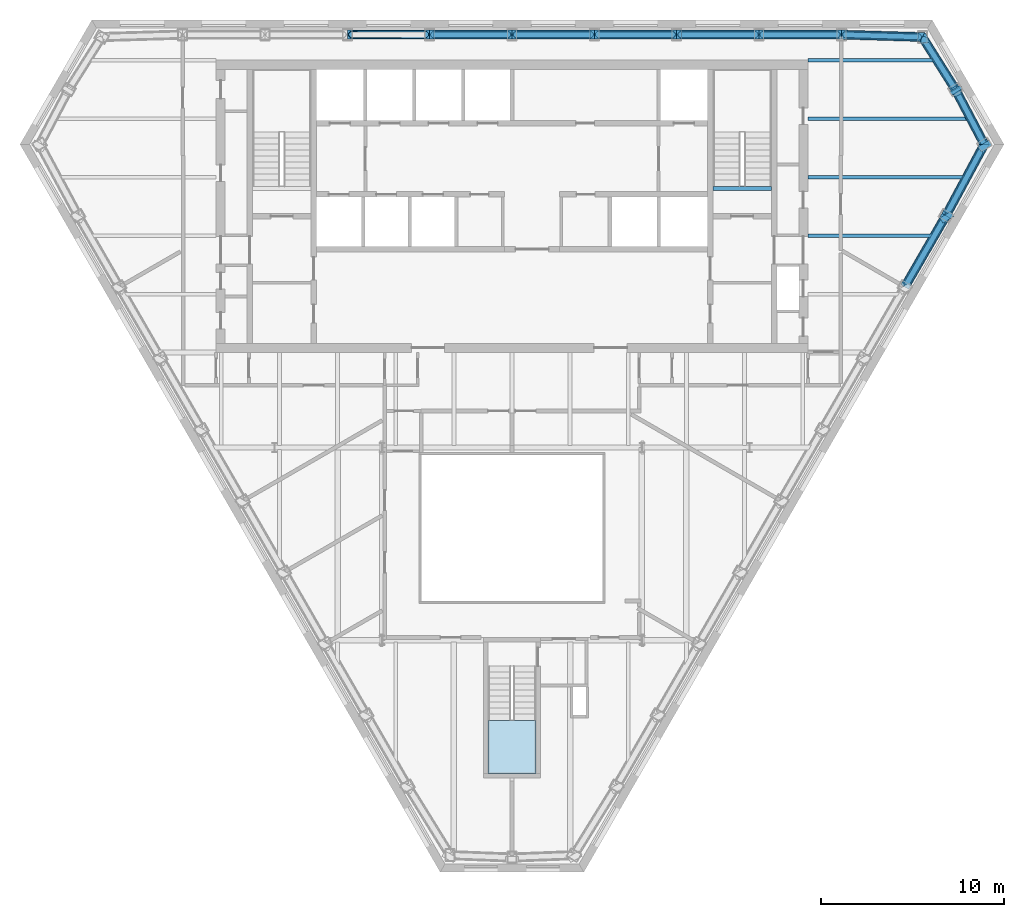
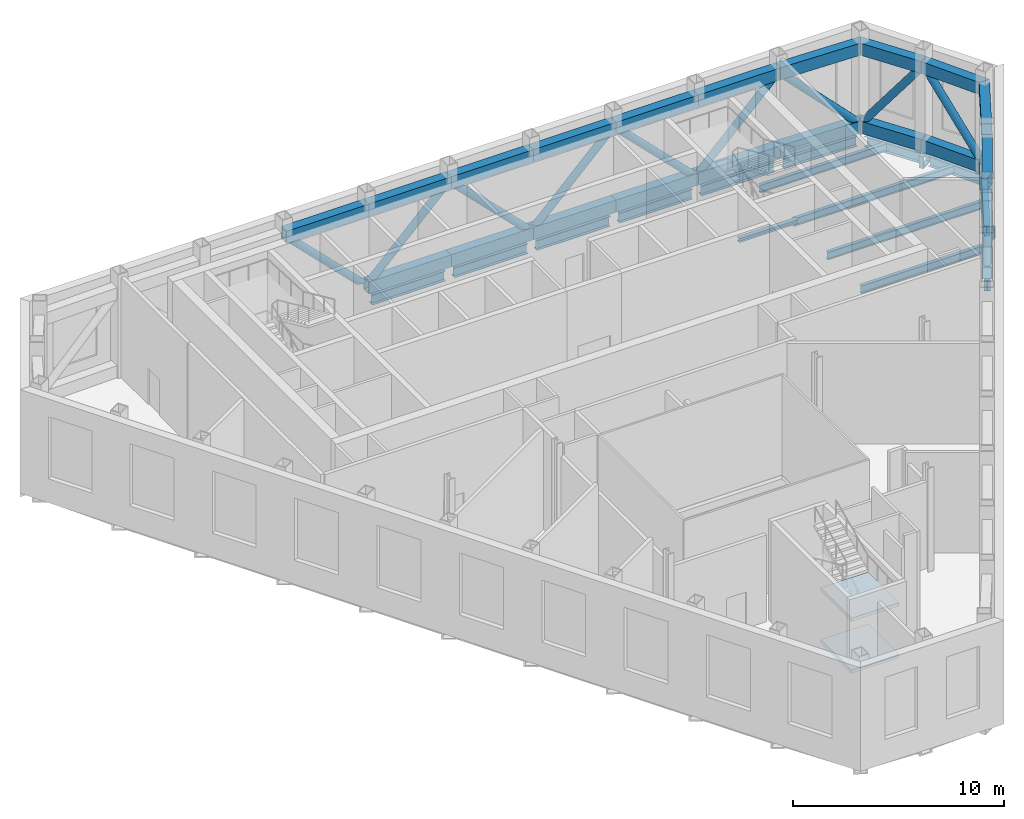
# One storey, part 5 of 13: 32 members, 18 beams, 2 slabs, 1 element without a shape of its own.
"""IFC4 building model written with IfcOpenShell, lengths in metres."""

from ifc_helpers import new_model, si_unit, direction, frame, origin, origin_2d, place, context, subcontext, project, spatial, polyline, hollow_rectangle, hollow_circle, i_section, outline, extrude, clip, halfspace, material, layer, layer_set, material_profile, profile_set, type_object, element, aggregate, save


model = new_model("IFC4")

# Units and contexts
model_context = context("Model", 3, precision=1e-05, world=origin(), true_north=direction((0.0, 1.0)))
body_context = subcontext(model_context, "Body", "Model", "MODEL_VIEW")
ifc_project = project(units=[si_unit("LENGTHUNIT", "METRE"), si_unit("AREAUNIT", "SQUARE_METRE"), si_unit("VOLUMEUNIT", "CUBIC_METRE"), si_unit("PLANEANGLEUNIT", "RADIAN"), si_unit("MASSUNIT", "GRAM", prefix="KILO")], contexts=[model_context])

# Site, building, storey
site_placement = place(None, origin())
site = spatial("IfcSite", under=ifc_project, at=site_placement, CompositionType="ELEMENT")
building_placement = place(site_placement, origin())
building = spatial("IfcBuilding", under=site, at=building_placement, Name="Njiva Tower", CompositionType="ELEMENT")
storey_placement = place(building_placement, frame((0.0, 0.0, 186.6)))
storey = spatial("IfcBuildingStorey", under=building, at=storey_placement, Name="L41", CompositionType="ELEMENT", Elevation=186.6)

# Beams
ifc_material_1 = material(Name="Steel S355 J2", Category="steel")
ifc_material_profile_1 = material_profile(ifc_material_1, hollow_rectangle(XDim=0.7, YDim=0.7, WallThickness=0.08, at=origin_2d()), Name="BOX 700x700x80")
ifc_profile_set_1 = profile_set([ifc_material_profile_1], Name="Steel S355 J2")
beam_type_1 = type_object("IfcBeamType", Name="B19 Column jog beam BOX 700x700x80", PredefinedType="BEAM", material=ifc_profile_set_1)
beam_1_placement = place(storey_placement, frame((23.888, 9.264, -0.55), z_axis=(-0.517683266159, 0.855572344071, 0.0), x_axis=(-0.855572344071, -0.517683266159, 0.0)))
element("IfcBeam", 1, at=beam_1_placement, inside=storey, type_object=beam_type_1, Name="Column jog beam T3-B045", PredefinedType="BEAM", context=body_context, shape_type="SweptSolid", body=[
    extrude(hollow_rectangle(XDim=0.7, YDim=0.7, WallThickness=0.08, at=origin_2d()), origin(), (0.0, 0.0, 1.0), 0.3226),
])
beam_2_placement = place(storey_placement, frame((25.989, 13.169, -0.55), z_axis=(-0.519059238985, 0.85473826779, 0.0), x_axis=(-0.85473826779, -0.519059238985, 0.0)))
element("IfcBeam", 2, at=beam_2_placement, inside=storey, type_object=beam_type_1, Name="Column jog beam T3-B047", PredefinedType="BEAM", context=body_context, shape_type="SweptSolid", body=[
    extrude(hollow_rectangle(XDim=0.7, YDim=0.7, WallThickness=0.08, at=origin_2d()), origin(), (0.0, 0.0, 1.0), 0.3217),
])
beam_3_placement = place(storey_placement, frame((24.359, 16.259, -0.55), z_axis=(-0.532813269686, 0.84623284009, 0.0), x_axis=(-0.84623284009, -0.532813269686, 0.0)))
element("IfcBeam", 3, at=beam_3_placement, inside=storey, type_object=beam_type_1, Name="Column jog beam T3-B046", PredefinedType="BEAM", context=body_context, shape_type="SweptSolid", body=[
    extrude(hollow_rectangle(XDim=0.7, YDim=0.7, WallThickness=0.08, at=origin_2d()), origin(), (0.0, 0.0, 1.0), 0.2233),
])
ifc_material_profile_2 = material_profile(ifc_material_1, i_section(OverallWidth=0.3, OverallDepth=0.59, WebThickness=0.013, FlangeThickness=0.025, at=origin_2d()), Name="HEA 600")
ifc_profile_set_2 = profile_set([ifc_material_profile_2], Name="Steel S355 J2")
beam_type_2 = type_object("IfcBeamType", Name="B27 Short-span spandrel beam HEA 600", PredefinedType="SPANDREL", material=ifc_profile_set_2)
beam_4_placement = place(storey_placement, frame((22.212, 19.274, -0.495), z_axis=(-0.999548163201, 0.030057768414, 0.0), x_axis=(-0.030057768414, -0.999548163201, 0.0)))
element("IfcBeam", 4, at=beam_4_placement, inside=storey, type_object=beam_type_2, Name="Short-span spandrel beam T3-B104", PredefinedType="SPANDREL", context=body_context, shape_type="SweptSolid", body=[
    extrude(i_section(OverallWidth=0.3, OverallDepth=0.59, WebThickness=0.013, FlangeThickness=0.025, at=origin_2d()), origin(), (0.0, 0.0, 1.0), 3.9258),
])
beam_5_placement = place(storey_placement, frame((17.784, 19.4, -0.495), z_axis=(-1.0, 0.0, 0.0), x_axis=(0.0, -1.0, 0.0)))
element("IfcBeam", 5, at=beam_5_placement, inside=storey, type_object=beam_type_2, Name="Short-span spandrel beam T3-B101", PredefinedType="SPANDREL", context=body_context, shape_type="SweptSolid", body=[
    extrude(i_section(OverallWidth=0.3, OverallDepth=0.59, WebThickness=0.013, FlangeThickness=0.025, at=origin_2d()), origin(), (0.0, 0.0, 1.0), 4.008),
])
beam_6_placement = place(storey_placement, frame((13.276, 19.4, -0.495), z_axis=(-1.0, 0.0, 0.0), x_axis=(0.0, -1.0, 0.0)))
element("IfcBeam", 6, at=beam_6_placement, inside=storey, type_object=beam_type_2, Name="Short-span spandrel beam T3-B098", PredefinedType="SPANDREL", context=body_context, shape_type="SweptSolid", body=[
    extrude(i_section(OverallWidth=0.3, OverallDepth=0.59, WebThickness=0.013, FlangeThickness=0.025, at=origin_2d()), origin(), (0.0, 0.0, 1.0), 4.009),
])
beam_7_placement = place(storey_placement, frame((8.767, 19.4, -0.495), z_axis=(-1.0, 0.0, 0.0), x_axis=(0.0, -1.0, 0.0)))
element("IfcBeam", 7, at=beam_7_placement, inside=storey, type_object=beam_type_2, Name="Short-span spandrel beam T3-B095", PredefinedType="SPANDREL", context=body_context, shape_type="SweptSolid", body=[
    extrude(i_section(OverallWidth=0.3, OverallDepth=0.59, WebThickness=0.013, FlangeThickness=0.025, at=origin_2d()), origin(), (0.0, 0.0, 1.0), 4.008),
])
for number, where, z_axis, x_axis, name in (
    (8, (4.259, 19.4, -0.495), (-1.0, 0.0, 0.0), (0.0, -1.0, 0.0), "Short-span spandrel beam T3-B092"),
    (9, (-0.25, 19.4, -0.495), (-1.0, 0.0, 0.0), (0.0, -1.0, 0.0), "Short-span spandrel beam T3-B090"),
):
    element("IfcBeam", number, at=place(storey_placement, frame(where, z_axis=z_axis, x_axis=x_axis)), inside=storey, type_object=beam_type_2, Name=name, PredefinedType="SPANDREL", context=body_context, shape_type="SweptSolid", body=[
        extrude(i_section(OverallWidth=0.3, OverallDepth=0.59, WebThickness=0.013, FlangeThickness=0.025, at=origin_2d()), origin(), (0.0, 0.0, 1.0), 4.009),
    ])
beam_8_placement = place(storey_placement, frame((21.574, 5.716, -0.495), z_axis=(0.500003221507, 0.866023543838, 0.0), x_axis=(-0.866023543838, 0.500003221507, 0.0)))
element("IfcBeam", 10, at=beam_8_placement, inside=storey, type_object=beam_type_2, Name="Short-span spandrel beam T3-B106", PredefinedType="SPANDREL", context=body_context, shape_type="SweptSolid", body=[
    extrude(i_section(OverallWidth=0.3, OverallDepth=0.59, WebThickness=0.013, FlangeThickness=0.025, at=origin_2d()), origin(), (0.0, 0.0, 1.0), 4.008),
])
beam_9_placement = place(storey_placement, frame((23.826, 9.626, -0.495), z_axis=(0.473781149082, 0.880642619213, 0.0), x_axis=(-0.880642619213, 0.473781149082, 0.0)))
element("IfcBeam", 11, at=beam_9_placement, inside=storey, type_object=beam_type_2, Name="Short-span spandrel beam T3-B108", PredefinedType="SPANDREL", context=body_context, shape_type="Clipping", body=[
    clip(extrude(i_section(OverallWidth=0.3, OverallDepth=0.59, WebThickness=0.013, FlangeThickness=0.025, at=origin_2d()), origin(), (0.0, 0.0, 1.0), 4.0431), halfspace(frame((-0.0262, 0.0, 3.9143), z_axis=(-0.525770260178, 0.0, 0.850626612276), x_axis=(0.0, 1.0, 0.0)), False)),
])
beam_10_placement = place(storey_placement, frame((25.828, 13.439, -0.495), z_axis=(-0.465483985196, 0.885056303026, 0.0), x_axis=(-0.885056303026, -0.465483985196, 0.0)))
element("IfcBeam", 12, at=beam_10_placement, inside=storey, type_object=beam_type_2, Name="Short-span spandrel beam T3-B109", PredefinedType="SPANDREL", context=body_context, shape_type="SweptSolid", body=[
    extrude(i_section(OverallWidth=0.3, OverallDepth=0.59, WebThickness=0.013, FlangeThickness=0.025, at=origin_2d()), origin(), (0.0, 0.0, 1.0), 2.984),
])
beam_11_placement = place(storey_placement, frame((24.191, 16.526, -0.495), z_axis=(-0.533823546627, 0.845595897026, 0.0), x_axis=(-0.845595897026, -0.533823546627, 0.0)))
element("IfcBeam", 13, at=beam_11_placement, inside=storey, type_object=beam_type_2, Name="Short-span spandrel beam T3-B107", PredefinedType="SPANDREL", context=body_context, shape_type="Clipping", body=[
    clip(extrude(i_section(OverallWidth=0.3, OverallDepth=0.59, WebThickness=0.013, FlangeThickness=0.025, at=origin_2d()), origin(), (0.0, 0.0, 1.0), 3.0017), halfspace(frame((-0.0271, 0.0, 2.8696), z_axis=(-0.533823546627, 0.0, 0.845595897026), x_axis=(0.0, 1.0, 0.0)), False)),
])
ifc_material_profile_3 = material_profile(ifc_material_1, i_section(OverallWidth=0.19, OverallDepth=0.45, WebThickness=0.0094, FlangeThickness=0.0146, at=origin_2d()), Name="IPE 450")
ifc_profile_set_3 = profile_set([ifc_material_profile_3], Name="Steel S355 J2")
beam_type_3 = type_object("IfcBeamType", Name="B37 Floor beam to the core IPE 450", PredefinedType="BEAM", material=ifc_profile_set_3)
beam_12_placement = place(storey_placement, frame((16.2, 8.4, -0.425), z_axis=(1.0, 0.0, 0.0), x_axis=(0.0, 1.0, 0.0)))
element("IfcBeam", 14, at=beam_12_placement, inside=storey, type_object=beam_type_3, Name="Floor beam to the core T3-B007", PredefinedType="BEAM", context=body_context, shape_type="Clipping", body=[
    clip(extrude(i_section(OverallWidth=0.19, OverallDepth=0.45, WebThickness=0.0094, FlangeThickness=0.0146, at=origin_2d()), origin(), (0.0, 0.0, 1.0), 6.883), halfspace(frame((-0.025, 0.0, 6.7936), z_axis=(-0.499998009787, 0.0, 0.866026552831), x_axis=(0.0, 1.0, 0.0)), False)),
])
beam_13_placement = place(storey_placement, frame((16.2, 11.6, -0.425), z_axis=(1.0, 0.0, 0.0), x_axis=(0.0, 1.0, 0.0)))
element("IfcBeam", 15, at=beam_13_placement, inside=storey, type_object=beam_type_3, Name="Floor beam to the core T3-B008", PredefinedType="BEAM", context=body_context, shape_type="Clipping", body=[
    clip(extrude(i_section(OverallWidth=0.19, OverallDepth=0.45, WebThickness=0.0094, FlangeThickness=0.0146, at=origin_2d()), origin(), (0.0, 0.0, 1.0), 8.645), halfspace(frame((-0.0237, 0.0, 8.5616), z_axis=(-0.473769423091, 0.0, 0.880648927634), x_axis=(0.0, 1.0, 0.0)), False)),
])
beam_14_placement = place(storey_placement, frame((16.2, 14.8, -0.425), z_axis=(1.0, 0.0, 0.0), x_axis=(0.0, 1.0, 0.0)))
element("IfcBeam", 16, at=beam_14_placement, inside=storey, type_object=beam_type_3, Name="Floor beam to the core T3-B009", PredefinedType="BEAM", context=body_context, shape_type="Clipping", body=[
    clip(extrude(i_section(OverallWidth=0.19, OverallDepth=0.45, WebThickness=0.0094, FlangeThickness=0.0146, at=origin_2d()), origin(), (0.0, 0.0, 1.0), 8.869), halfspace(frame((0.0233, 0.0, 8.787), z_axis=(0.465649575467, 0.0, 0.884969193174), x_axis=(0.0, 1.0, 0.0)), False)),
])
beam_15_placement = place(storey_placement, frame((16.2, 18.0, -0.425), z_axis=(1.0, 0.0, 0.0), x_axis=(0.0, 1.0, 0.0)))
element("IfcBeam", 17, at=beam_15_placement, inside=storey, type_object=beam_type_3, Name="Floor beam to the core T3-B010", PredefinedType="BEAM", context=body_context, shape_type="Clipping", body=[
    clip(extrude(i_section(OverallWidth=0.19, OverallDepth=0.45, WebThickness=0.0094, FlangeThickness=0.0146, at=origin_2d()), origin(), (0.0, 0.0, 1.0), 7.022), halfspace(frame((0.0267, 0.0, 6.9255), z_axis=(0.533579818876, 0.0, 0.84574971291), x_axis=(0.0, 1.0, 0.0)), False)),
])
ifc_material_profile_4 = material_profile(ifc_material_1, i_section(OverallWidth=0.24, OverallDepth=0.23, WebThickness=0.0075, FlangeThickness=0.012, at=origin_2d()), Name="HEA240")
ifc_profile_set_4 = profile_set([ifc_material_profile_4], Name="Steel S355 J2")
beam_type_4 = type_object("IfcBeamType", Name="FL8 Landing beam HEA 240", PredefinedType="BEAM", material=ifc_profile_set_4)
beam_16_placement = place(storey_placement, frame((10.994, 10.98, 2.685), z_axis=(1.0, 0.0, 0.0), x_axis=(0.0, 1.0, 0.0)))
element("IfcBeam", 18, at=beam_16_placement, inside=storey, type_object=beam_type_4, Name="Landing beam", PredefinedType="BEAM", context=body_context, shape_type="SweptSolid", body=[
    extrude(i_section(OverallWidth=0.24, OverallDepth=0.23, WebThickness=0.0075, FlangeThickness=0.012, at=origin_2d()), origin(), (0.0, 0.0, 1.0), 3.212),
])

# Members
ifc_material_profile_5 = material_profile(ifc_material_1, hollow_rectangle(XDim=0.5, YDim=0.7, WallThickness=0.04, at=origin_2d()), Name="BOX 700x500x40")
ifc_profile_set_5 = profile_set([ifc_material_profile_5], Name="Steel S355 J2")
member_type_1 = type_object("IfcMemberType", Name="TC2 Belt truss chord BOX 700x500x40", PredefinedType="CHORD", material=ifc_profile_set_5)
member_1_placement = place(storey_placement, frame((22.6239, 19.2621, 0.35), z_axis=(-0.999549830104, 0.03000228558, 0.0), x_axis=(-0.03000228558, -0.999549830104, 0.0)))
element("IfcMember", 19, at=member_1_placement, inside=storey, type_object=member_type_1, Name="Belt truss chord T3-TR001", PredefinedType="CHORD", context=body_context, shape_type="Clipping", body=[
    clip(clip(extrude(hollow_rectangle(XDim=0.5, YDim=0.7, WallThickness=0.04, at=origin_2d()), origin(), (0.0, 0.0, 1.0), 4.63), halfspace(frame((0.0, -186.95, 0.163), z_axis=(0.46969440449, 0.0, -0.882829069747), x_axis=(0.0, -1.0, 0.0)), False)), halfspace(frame((0.0, -186.95, 4.596), z_axis=(0.015005700272, 0.0, 0.999887408141), x_axis=(0.0, 1.0, 0.0)), False)),
])
member_2_placement = place(storey_placement, frame((22.6239, 19.2621, 4.86), z_axis=(-0.999549830104, 0.03000228558, 0.0), x_axis=(-0.03000228558, -0.999549830104, 0.0)))
element("IfcMember", 20, at=member_2_placement, inside=storey, type_object=member_type_1, Name="Belt truss chord T3-TR002", PredefinedType="CHORD", context=body_context, shape_type="Clipping", body=[
    clip(clip(extrude(hollow_rectangle(XDim=0.5, YDim=0.7, WallThickness=0.04, at=origin_2d()), origin(), (0.0, 0.0, 1.0), 4.63), halfspace(frame((0.0, -191.46, 0.163), z_axis=(0.46969440449, 0.0, -0.882829069747), x_axis=(0.0, -1.0, 0.0)), False)), halfspace(frame((0.0, -191.46, 4.596), z_axis=(0.015005700272, 0.0, 0.999887408141), x_axis=(0.0, 1.0, 0.0)), False)),
])
member_3_placement = place(storey_placement, frame((18.064, 19.4, 0.35), z_axis=(-1.0, 0.0, 0.0), x_axis=(0.0, -1.0, 0.0)))
element("IfcMember", 21, at=member_3_placement, inside=storey, type_object=member_type_1, Name="Belt truss chord T3-TR004", PredefinedType="CHORD", context=body_context, shape_type="Clipping", body=[
    clip(extrude(hollow_rectangle(XDim=0.5, YDim=0.7, WallThickness=0.04, at=origin_2d()), origin(), (0.0, 0.0, 1.0), 4.541), halfspace(frame((0.0, -186.95, 0.034), z_axis=(0.014999962409, 0.0, -0.999887494235), x_axis=(0.0, -1.0, 0.0)), False)),
])
member_4_placement = place(storey_placement, frame((18.064, 19.4, 4.86), z_axis=(-1.0, 0.0, 0.0), x_axis=(0.0, -1.0, 0.0)))
element("IfcMember", 22, at=member_4_placement, inside=storey, type_object=member_type_1, Name="Belt truss chord T3-TR005", PredefinedType="CHORD", context=body_context, shape_type="Clipping", body=[
    clip(extrude(hollow_rectangle(XDim=0.5, YDim=0.7, WallThickness=0.04, at=origin_2d()), origin(), (0.0, 0.0, 1.0), 4.541), halfspace(frame((0.0, -191.46, 0.034), z_axis=(0.014999962409, 0.0, -0.999887494235), x_axis=(0.0, -1.0, 0.0)), False)),
])
for number, where, z_axis, x_axis, name in (
    (23, (13.523, 19.4, 0.35), (-1.0, 0.0, 0.0), (0.0, -1.0, 0.0), "Belt truss chord T3-TR007"),
    (24, (13.523, 19.4, 4.86), (-1.0, 0.0, 0.0), (0.0, -1.0, 0.0), "Belt truss chord T3-TR008"),
):
    element("IfcMember", number, at=place(storey_placement, frame(where, z_axis=z_axis, x_axis=x_axis)), inside=storey, type_object=member_type_1, Name=name, PredefinedType="CHORD", context=body_context, shape_type="SweptSolid", body=[
        extrude(hollow_rectangle(XDim=0.5, YDim=0.7, WallThickness=0.04, at=origin_2d()), origin(), (0.0, 0.0, 1.0), 4.508),
    ])
for number, where, z_axis, x_axis, name in (
    (25, (9.015, 19.4, 0.35), (-1.0, 0.0, 0.0), (0.0, -1.0, 0.0), "Belt truss chord T3-TR010"),
    (26, (9.015, 19.4, 4.86), (-1.0, 0.0, 0.0), (0.0, -1.0, 0.0), "Belt truss chord T3-TR011"),
):
    element("IfcMember", number, at=place(storey_placement, frame(where, z_axis=z_axis, x_axis=x_axis)), inside=storey, type_object=member_type_1, Name=name, PredefinedType="CHORD", context=body_context, shape_type="SweptSolid", body=[
        extrude(hollow_rectangle(XDim=0.5, YDim=0.7, WallThickness=0.04, at=origin_2d()), origin(), (0.0, 0.0, 1.0), 4.507),
    ])
for number, where, z_axis, x_axis, name in (
    (27, (4.508, 19.4, 0.35), (-1.0, 0.0, 0.0), (0.0, -1.0, 0.0), "Belt truss chord T3-TR013"),
    (28, (4.508, 19.4, 4.86), (-1.0, 0.0, 0.0), (0.0, -1.0, 0.0), "Belt truss chord T3-TR014"),
    (29, (0.0, 19.4, 0.35), (-1.0, 0.0, 0.0), (0.0, -1.0, 0.0), "Belt truss chord T3-TR016"),
    (30, (0.0, 19.4, 4.86), (-1.0, 0.0, 0.0), (0.0, -1.0, 0.0), "Belt truss chord T3-TR017"),
):
    element("IfcMember", number, at=place(storey_placement, frame(where, z_axis=z_axis, x_axis=x_axis)), inside=storey, type_object=member_type_1, Name=name, PredefinedType="CHORD", context=body_context, shape_type="SweptSolid", body=[
        extrude(hollow_rectangle(XDim=0.5, YDim=0.7, WallThickness=0.04, at=origin_2d()), origin(), (0.0, 0.0, 1.0), 4.508),
    ])
member_5_placement = place(storey_placement, frame((-4.508, 19.4, 4.86), z_axis=(-1.0, 0.0, 0.0), x_axis=(0.0, -1.0, 0.0)))
element("IfcMember", 31, at=member_5_placement, inside=storey, type_object=member_type_1, Name="Belt truss chord T3-TR020", PredefinedType="CHORD", context=body_context, shape_type="SweptSolid", body=[
    extrude(hollow_rectangle(XDim=0.5, YDim=0.7, WallThickness=0.04, at=origin_2d()), origin(), (0.0, 0.0, 1.0), 4.507),
])
member_6_placement = place(storey_placement, frame((21.499, 5.586, 0.35), z_axis=(0.499933745558, 0.866063652425, 0.0), x_axis=(-0.866063652425, 0.499933745558, 0.0)))
element("IfcMember", 32, at=member_6_placement, inside=storey, type_object=member_type_1, Name="Belt truss chord T3-TR097", PredefinedType="CHORD", context=body_context, shape_type="Clipping", body=[
    clip(extrude(hollow_rectangle(XDim=0.5, YDim=0.7, WallThickness=0.04, at=origin_2d()), origin(), (0.0, 0.0, 1.0), 4.5406), halfspace(frame((0.0, -186.95, 4.5066), z_axis=(0.014905098252, 0.0, 0.999888912853), x_axis=(0.0, 1.0, 0.0)), False)),
])
member_7_placement = place(storey_placement, frame((21.499, 5.586, 4.86), z_axis=(0.499933745558, 0.866063652425, 0.0), x_axis=(-0.866063652425, 0.499933745558, 0.0)))
element("IfcMember", 33, at=member_7_placement, inside=storey, type_object=member_type_1, Name="Belt truss chord T3-TR098", PredefinedType="CHORD", context=body_context, shape_type="Clipping", body=[
    clip(extrude(hollow_rectangle(XDim=0.5, YDim=0.7, WallThickness=0.04, at=origin_2d()), origin(), (0.0, 0.0, 1.0), 4.5406), halfspace(frame((0.0, -191.46, 4.5066), z_axis=(0.014905098252, 0.0, 0.999888912853), x_axis=(0.0, 1.0, 0.0)), False)),
])
member_8_placement = place(storey_placement, frame((23.7359, 9.4591, 0.35), z_axis=(0.473898049697, 0.880579717285, 0.0), x_axis=(-0.880579717285, 0.473898049697, 0.0)))
element("IfcMember", 34, at=member_8_placement, inside=storey, type_object=member_type_1, Name="Belt truss chord T3-TR100", PredefinedType="CHORD", context=body_context, shape_type="Clipping", body=[
    clip(clip(extrude(hollow_rectangle(XDim=0.5, YDim=0.7, WallThickness=0.04, at=origin_2d()), origin(), (0.0, 0.0, 1.0), 4.6304), halfspace(frame((0.0, -186.95, 0.034), z_axis=(0.01490385339, 0.0, -0.999888931409), x_axis=(0.0, -1.0, 0.0)), False)), halfspace(frame((0.0, -186.95, 4.4674), z_axis=(0.469824716583, 0.0, 0.882759727042), x_axis=(0.0, 1.0, 0.0)), False)),
])
member_9_placement = place(storey_placement, frame((23.7359, 9.4591, 4.86), z_axis=(0.473898049697, 0.880579717285, 0.0), x_axis=(-0.880579717285, 0.473898049697, 0.0)))
element("IfcMember", 35, at=member_9_placement, inside=storey, type_object=member_type_1, Name="Belt truss chord T3-TR101", PredefinedType="CHORD", context=body_context, shape_type="Clipping", body=[
    clip(clip(extrude(hollow_rectangle(XDim=0.5, YDim=0.7, WallThickness=0.04, at=origin_2d()), origin(), (0.0, 0.0, 1.0), 4.6304), halfspace(frame((0.0, -191.46, 0.034), z_axis=(0.01490385339, 0.0, -0.999888931409), x_axis=(0.0, -1.0, 0.0)), False)), halfspace(frame((0.0, -191.46, 4.4674), z_axis=(0.469824716583, 0.0, 0.882759727042), x_axis=(0.0, 1.0, 0.0)), False)),
])
member_10_placement = place(storey_placement, frame((25.9289, 13.2488, 0.35), z_axis=(-0.465734291661, 0.884924612366, 0.0), x_axis=(-0.884924612366, -0.465734291661, 0.0)))
element("IfcMember", 36, at=member_10_placement, inside=storey, type_object=member_type_1, Name="Belt truss chord T3-TR103", PredefinedType="CHORD", context=body_context, shape_type="Clipping", body=[
    clip(clip(extrude(hollow_rectangle(XDim=0.5, YDim=0.7, WallThickness=0.04, at=origin_2d()), origin(), (0.0, 0.0, 1.0), 3.5976), halfspace(frame((0.0, -186.95, 0.163), z_axis=(0.469817670193, 0.0, -0.882763477255), x_axis=(0.0, -1.0, 0.0)), False)), halfspace(frame((0.0, -186.95, 3.5576), z_axis=(0.039216491459, 0.0, 0.999230737516), x_axis=(0.0, 1.0, 0.0)), False)),
])
member_11_placement = place(storey_placement, frame((25.9289, 13.2488, 4.86), z_axis=(-0.465734291661, 0.884924612366, 0.0), x_axis=(-0.884924612366, -0.465734291661, 0.0)))
element("IfcMember", 37, at=member_11_placement, inside=storey, type_object=member_type_1, Name="Belt truss chord T3-TR104", PredefinedType="CHORD", context=body_context, shape_type="Clipping", body=[
    clip(clip(extrude(hollow_rectangle(XDim=0.5, YDim=0.7, WallThickness=0.04, at=origin_2d()), origin(), (0.0, 0.0, 1.0), 3.5976), halfspace(frame((0.0, -191.46, 0.163), z_axis=(0.469817670193, 0.0, -0.882763477255), x_axis=(0.0, -1.0, 0.0)), False)), halfspace(frame((0.0, -191.46, 3.5576), z_axis=(0.039216491459, 0.0, 0.999230737516), x_axis=(0.0, 1.0, 0.0)), False)),
])
member_12_placement = place(storey_placement, frame((24.2933, 16.3632, 0.35), z_axis=(-0.533649261636, 0.845705897789, 0.0), x_axis=(-0.845705897789, -0.533649261636, 0.0)))
element("IfcMember", 38, at=member_12_placement, inside=storey, type_object=member_type_1, Name="Belt truss chord T3-TR106", PredefinedType="CHORD", context=body_context, shape_type="Clipping", body=[
    clip(clip(extrude(hollow_rectangle(XDim=0.5, YDim=0.7, WallThickness=0.04, at=origin_2d()), origin(), (0.0, 0.0, 1.0), 3.5966), halfspace(frame((0.0, -186.95, 0.04), z_axis=(0.03920895543, 0.0, -0.999231033252), x_axis=(0.0, -1.0, 0.0)), False)), halfspace(frame((0.0, -186.95, 3.4336), z_axis=(0.469686094909, 0.0, 0.882833490671), x_axis=(0.0, 1.0, 0.0)), False)),
])
member_13_placement = place(storey_placement, frame((24.2933, 16.3632, 4.86), z_axis=(-0.533649261636, 0.845705897789, 0.0), x_axis=(-0.845705897789, -0.533649261636, 0.0)))
element("IfcMember", 39, at=member_13_placement, inside=storey, type_object=member_type_1, Name="Belt truss chord T3-TR107", PredefinedType="CHORD", context=body_context, shape_type="Clipping", body=[
    clip(clip(extrude(hollow_rectangle(XDim=0.5, YDim=0.7, WallThickness=0.04, at=origin_2d()), origin(), (0.0, 0.0, 1.0), 3.5966), halfspace(frame((0.0, -191.46, 0.04), z_axis=(0.03920895543, 0.0, -0.999231033252), x_axis=(0.0, -1.0, 0.0)), False)), halfspace(frame((0.0, -191.46, 3.4336), z_axis=(0.469686094909, 0.0, 0.882833490671), x_axis=(0.0, 1.0, 0.0)), False)),
])
ifc_material_2 = material(Name="Steel S355 J2H", Category="steel")
ifc_material_profile_6 = material_profile(ifc_material_2, hollow_circle(Radius=0.2032, WallThickness=0.016, at=origin_2d()), Name="CHS 406.4x16")
ifc_profile_set_6 = profile_set([ifc_material_profile_6], Name="Steel S355 J2H")
member_type_2 = type_object("IfcMemberType", Name="TD2 Belt truss diagonal CHS 406.4x16", PredefinedType="BRACE", material=ifc_profile_set_6)
member_14_placement = place(storey_placement, frame((22.6229, 19.2621, 0.1853), z_axis=(-0.700676628488, 0.021031367996, 0.713168944816), x_axis=(-0.03000228558, -0.999549830104, 0.0)))
element("IfcMember", 40, at=member_14_placement, inside=storey, type_object=member_type_2, Name="Belt truss diagonal T3-TR003", PredefinedType="BRACE", context=body_context, shape_type="Clipping", body=[
    clip(clip(extrude(hollow_circle(Radius=0.2032, WallThickness=0.016, at=origin_2d()), origin(), (0.0, 0.0, 1.0), 6.7859), halfspace(frame((19.9322, -15.3607, 15.8062), z_axis=(0.0, -0.700992194072, -0.713168944816), x_axis=(0.0, -0.713168944816, 0.700992194072)), False)), halfspace(frame((19.9322, -12.6759, 18.5376), z_axis=(0.0, 0.700992194072, 0.713168944816), x_axis=(0.0, 0.713168944816, -0.700992194072)), False)),
])
member_15_placement = place(storey_placement, frame((18.1961, 19.4, 5.0262), z_axis=(-0.706871484179, 0.0, -0.707341999922), x_axis=(0.0, -1.0, 0.0)))
element("IfcMember", 41, at=member_15_placement, inside=storey, type_object=member_type_2, Name="Belt truss diagonal T3-TR006", PredefinedType="BRACE", context=body_context, shape_type="Clipping", body=[
    clip(clip(extrude(hollow_circle(Radius=0.2032, WallThickness=0.016, at=origin_2d()), origin(), (0.0, 0.0, 1.0), 6.846), halfspace(frame((19.4, 12.513, 13.2204), z_axis=(0.0, 0.706871484179, -0.707341999922), x_axis=(0.0, -0.707341999922, -0.706871484179)), False)), halfspace(frame((19.4, 9.8057, 15.9295), z_axis=(0.0, -0.706871484179, 0.707341999922), x_axis=(0.0, 0.707341999922, 0.706871484179)), False)),
])
member_16_placement = place(storey_placement, frame((13.6891, 19.4, 0.1838), z_axis=(-0.706949942603, 0.0, 0.707263584991), x_axis=(0.0, -1.0, 0.0)))
element("IfcMember", 42, at=member_16_placement, inside=storey, type_object=member_type_2, Name="Belt truss diagonal T3-TR009", PredefinedType="BRACE", context=body_context, shape_type="Clipping", body=[
    clip(clip(extrude(hollow_circle(Radius=0.2032, WallThickness=0.016, at=origin_2d()), origin(), (0.0, 0.0, 1.0), 6.8467), halfspace(frame((19.4, -9.324, 10.0356), z_axis=(0.0, -0.706949942603, -0.707263584991), x_axis=(0.0, -0.707263584991, 0.706949942603)), False)), halfspace(frame((19.4, -6.6163, 12.7444), z_axis=(0.0, 0.706949942603, 0.707263584991), x_axis=(0.0, 0.707263584991, -0.706949942603)), False)),
])
member_17_placement = place(storey_placement, frame((9.1811, 19.4, 5.0262), z_axis=(-0.706871484179, 0.0, -0.707341999922), x_axis=(0.0, -1.0, 0.0)))
element("IfcMember", 43, at=member_17_placement, inside=storey, type_object=member_type_2, Name="Belt truss diagonal T3-TR012", PredefinedType="BRACE", context=body_context, shape_type="Clipping", body=[
    clip(clip(extrude(hollow_circle(Radius=0.2032, WallThickness=0.016, at=origin_2d()), origin(), (0.0, 0.0, 1.0), 6.846), halfspace(frame((19.4, 6.1364, 6.8479), z_axis=(0.0, 0.706871484179, -0.707341999922), x_axis=(0.0, -0.707341999922, -0.706871484179)), False)), halfspace(frame((19.4, 3.429, 9.5571), z_axis=(0.0, -0.706871484179, 0.707341999922), x_axis=(0.0, 0.707341999922, 0.706871484179)), False)),
])
member_18_placement = place(storey_placement, frame((4.6741, 19.4, 0.1838), z_axis=(-0.706949942603, 0.0, 0.707263584991), x_axis=(0.0, -1.0, 0.0)))
element("IfcMember", 44, at=member_18_placement, inside=storey, type_object=member_type_2, Name="Belt truss diagonal T3-TR015", PredefinedType="BRACE", context=body_context, shape_type="Clipping", body=[
    clip(clip(extrude(hollow_circle(Radius=0.2032, WallThickness=0.016, at=origin_2d()), origin(), (0.0, 0.0, 1.0), 6.8467), halfspace(frame((19.4, -2.948, 3.6624), z_axis=(0.0, -0.706949942603, -0.707263584991), x_axis=(0.0, -0.707263584991, 0.706949942603)), False)), halfspace(frame((19.4, -0.2404, 6.3712), z_axis=(0.0, 0.706949942603, 0.707263584991), x_axis=(0.0, 0.707263584991, -0.706949942603)), False)),
])
member_19_placement = place(storey_placement, frame((0.1661, 19.4, 5.0262), z_axis=(-0.706949942603, 0.0, -0.707263584991), x_axis=(0.0, -1.0, 0.0)))
element("IfcMember", 45, at=member_19_placement, inside=storey, type_object=member_type_2, Name="Belt truss diagonal T3-TR018", PredefinedType="BRACE", context=body_context, shape_type="Clipping", body=[
    clip(clip(extrude(hollow_circle(Radius=0.2032, WallThickness=0.016, at=origin_2d()), origin(), (0.0, 0.0, 1.0), 6.8467), halfspace(frame((19.4, -0.2404, 0.4755), z_axis=(0.0, 0.706949942603, -0.707263584991), x_axis=(0.0, -0.707263584991, -0.706949942603)), False)), halfspace(frame((19.4, -2.948, 3.1843), z_axis=(0.0, -0.706949942603, 0.707263584991), x_axis=(0.0, 0.707263584991, 0.706949942603)), False)),
])
member_20_placement = place(storey_placement, frame((-4.3419, 19.4, 0.1838), z_axis=(-0.706871484179, 0.0, 0.707341999922), x_axis=(0.0, -1.0, 0.0)))
element("IfcMember", 46, at=member_20_placement, inside=storey, type_object=member_type_2, Name="Belt truss diagonal T3-TR021", PredefinedType="BRACE", context=body_context, shape_type="Clipping", body=[
    clip(clip(extrude(hollow_circle(Radius=0.2032, WallThickness=0.016, at=origin_2d()), origin(), (0.0, 0.0, 1.0), 6.846), halfspace(frame((19.4, 3.429, -2.7111), z_axis=(0.0, -0.706871484179, -0.707341999922), x_axis=(0.0, -0.707341999922, 0.706871484179)), False)), halfspace(frame((19.4, 6.1364, -0.002), z_axis=(0.0, 0.706871484179, 0.707341999922), x_axis=(0.0, 0.707341999922, -0.706871484179)), False)),
])
member_21_placement = place(storey_placement, frame((21.416, 5.4421, 0.1838), z_axis=(0.353373104189, 0.612168320306, 0.707373590721), x_axis=(-0.866063652425, 0.499933745558, 0.0)))
element("IfcMember", 47, at=member_21_placement, inside=storey, type_object=member_type_2, Name="Belt truss diagonal T3-TR099", PredefinedType="BRACE", context=body_context, shape_type="Clipping", body=[
    clip(clip(extrude(hollow_circle(Radius=0.2032, WallThickness=0.016, at=origin_2d()), origin(), (0.0, 0.0, 1.0), 6.8457), halfspace(frame((15.8269, 11.2654, -10.5412), z_axis=(0.0, -0.70683987094, -0.707373590721), x_axis=(0.0, -0.707373590721, 0.70683987094)), False)), halfspace(frame((15.8269, 13.9726, -7.832), z_axis=(0.0, 0.70683987094, 0.707373590721), x_axis=(0.0, 0.707373590721, -0.70683987094)), False)),
])
member_22_placement = place(storey_placement, frame((23.6749, 9.3458, 5.0254), z_axis=(0.33221588527, 0.61731119281, -0.71313357571), x_axis=(-0.880579717285, 0.473898049697, 0.0)))
element("IfcMember", 48, at=member_22_placement, inside=storey, type_object=member_type_2, Name="Belt truss diagonal T3-TR102", PredefinedType="BRACE", context=body_context, shape_type="Clipping", body=[
    clip(clip(extrude(hollow_circle(Radius=0.2032, WallThickness=0.016, at=origin_2d()), origin(), (0.0, 0.0, 1.0), 6.7882), halfspace(frame((16.4187, -14.2242, -13.274), z_axis=(0.0, 0.701028175749, -0.71313357571), x_axis=(0.0, -0.71313357571, -0.701028175749)), False)), halfspace(frame((16.4187, -16.9092, -10.5427), z_axis=(0.0, -0.701028175749, 0.71313357571), x_axis=(0.0, 0.71313357571, 0.701028175749)), False)),
])
member_23_placement = place(storey_placement, frame((25.9045, 13.2951, 0.203), z_axis=(-0.280081178037, 0.532171953715, 0.798966548354), x_axis=(-0.884924612366, -0.465734291661, 0.0)))
element("IfcMember", 49, at=member_23_placement, inside=storey, type_object=member_type_2, Name="Belt truss diagonal T3-TR105", PredefinedType="BRACE", context=body_context, shape_type="Clipping", body=[
    clip(clip(extrude(hollow_circle(Radius=0.2032, WallThickness=0.016, at=origin_2d()), origin(), (0.0, 0.0, 1.0), 6.0128), halfspace(frame((29.1155, 0.0536, 0.5692), z_axis=(0.0, -0.601375468914, -0.798966548354), x_axis=(0.0, -0.798966548354, 0.601375468914)), False)), halfspace(frame((29.1155, 2.3569, 3.6293), z_axis=(0.0, 0.601375468914, 0.798966548354), x_axis=(0.0, 0.798966548354, -0.601375468914)), False)),
])
member_24_placement = place(storey_placement, frame((24.331, 16.3034, 5.007), z_axis=(-0.32086172523, 0.508488763893, -0.799053771831), x_axis=(-0.845705897789, -0.533649261636, 0.0)))
element("IfcMember", 50, at=member_24_placement, inside=storey, type_object=member_type_2, Name="Belt truss diagonal T3-TR108", PredefinedType="BRACE", context=body_context, shape_type="Clipping", body=[
    clip(clip(extrude(hollow_circle(Radius=0.2032, WallThickness=0.016, at=origin_2d()), origin(), (0.0, 0.0, 1.0), 6.0122), halfspace(frame((29.2772, -0.935, -0.0941), z_axis=(0.0, 0.60125956934, -0.799053771831), x_axis=(0.0, -0.799053771831, -0.60125956934)), False)), halfspace(frame((29.2772, -3.2378, 2.9663), z_axis=(0.0, -0.60125956934, 0.799053771831), x_axis=(0.0, 0.799053771831, 0.60125956934)), False)),
])

# Stair, slabs
ifc_material_3 = material(Name="Concrete C40/50", Category="concrete")
stair_type = type_object("IfcStairType", Name="ST1 Exit stair 1250", PredefinedType="HALF_TURN_STAIR", material=ifc_material_3)
stair_placement = place(storey_placement, origin())
stair = element("IfcStair", 51, at=stair_placement, inside=storey, type_object=stair_type, Name="Stair C", PredefinedType="DOUBLE_RETURN_STAIR")
ifc_layer = layer(ifc_material_3, 0.2)
ifc_layer_set = layer_set([ifc_layer], Name="Concrete C40/50")
slab_type = type_object("IfcSlabType", Name="FL9 Stair landing 200", PredefinedType="LANDING", material=ifc_layer_set)
slab_1_placement = place(storey_placement, frame((0.0, 0.0, 1.3)))
slab_1 = element("IfcSlab", 52, at=slab_1_placement, type_object=slab_type, Name="ST-C landing 1", PredefinedType="LANDING", context=body_context, shape_type="SweptSolid", body=[
    extrude(outline(polyline([(-1.306, -21.05), (1.306, -21.05), (1.306, -18.13), (-1.306, -18.13), (-1.306, -21.05)])), origin(), (0.0, 0.0, 1.0), 0.2),
])
slab_2_placement = place(storey_placement, frame((0.0, 0.0, 4.3)))
slab_2 = element("IfcSlab", 53, at=slab_2_placement, type_object=slab_type, Name="ST-C landing 3", PredefinedType="LANDING", context=body_context, shape_type="SweptSolid", body=[
    extrude(outline(polyline([(-1.306, -21.05), (1.306, -21.05), (1.306, -18.13), (-1.306, -18.13), (-1.306, -21.05)])), origin(), (0.0, 0.0, 1.0), 0.2),
])
aggregate(stair, [slab_1, slab_2])

save(model, "model.ifc")
